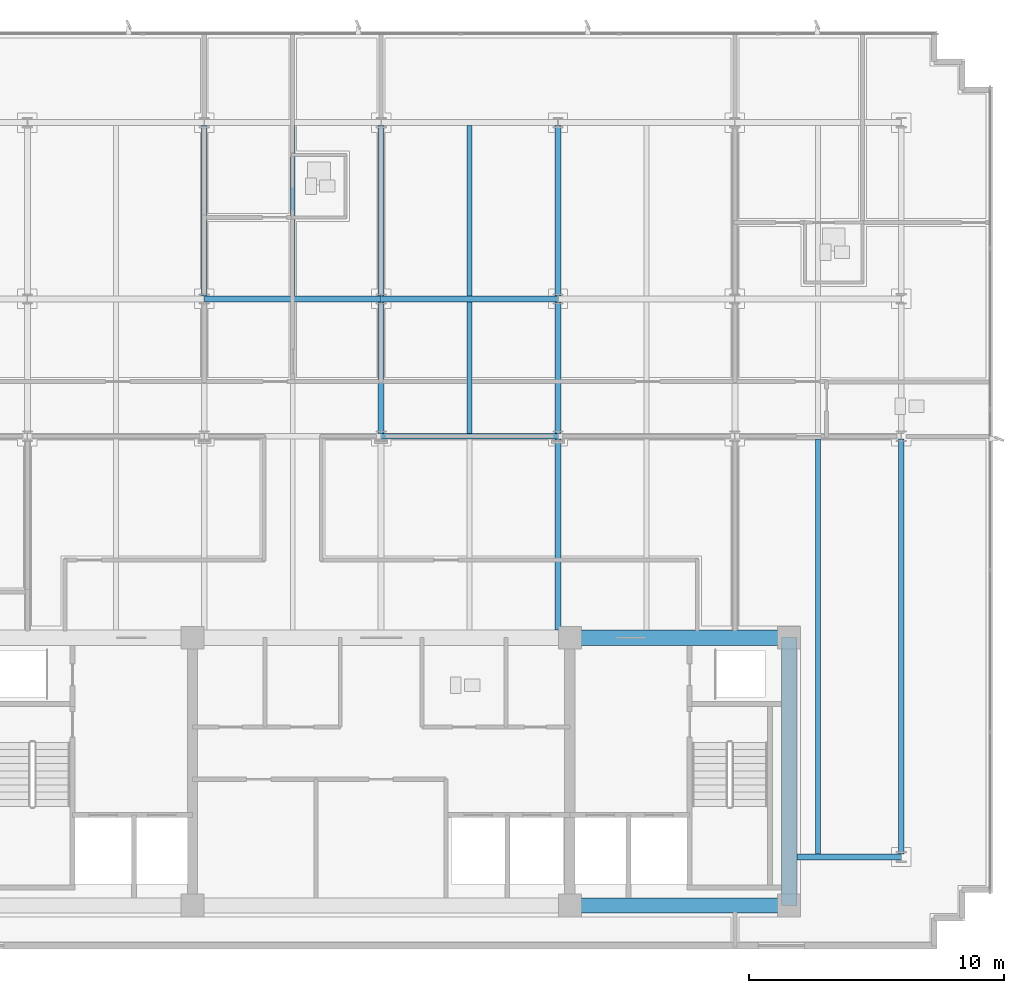
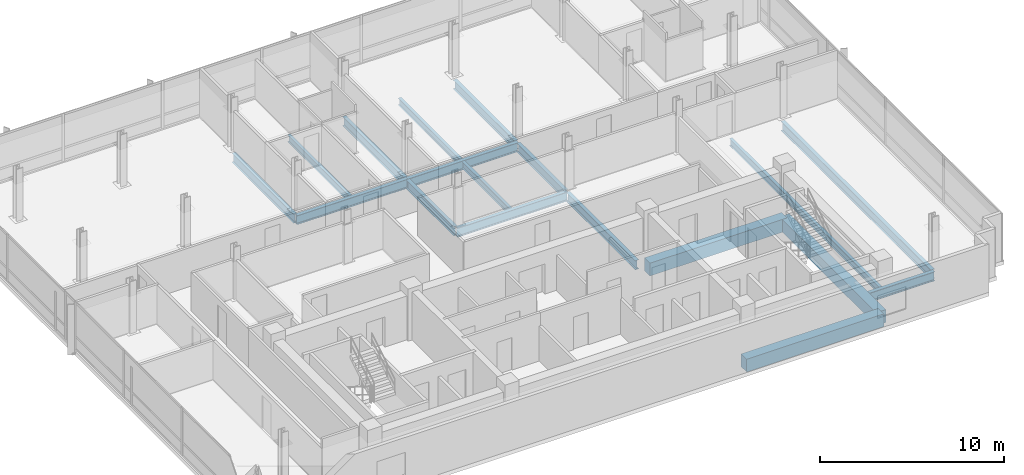
# One storey, part 5 of 18: 18 beams.
"""IFC4 building model written with IfcOpenShell, lengths in metres."""

from ifc_helpers import new_model, si_unit, direction, frame, origin, origin_2d, place, context, subcontext, project, spatial, rectangle, i_section, extrude, material, material_profile, profile_set, type_object, element, save


model = new_model("IFC4")

# Units and contexts
model_context = context("Model", 3, precision=1e-05, world=origin(), true_north=direction((0.0, 1.0)))
body_context = subcontext(model_context, "Body", "Model", "MODEL_VIEW")
ifc_project = project(units=[si_unit("LENGTHUNIT", "METRE"), si_unit("AREAUNIT", "SQUARE_METRE"), si_unit("VOLUMEUNIT", "CUBIC_METRE"), si_unit("PLANEANGLEUNIT", "RADIAN"), si_unit("MASSUNIT", "GRAM", prefix="KILO")], contexts=[model_context])

# Site, building, storey
site_placement = place(None, origin())
site = spatial("IfcSite", under=ifc_project, at=site_placement, CompositionType="ELEMENT")
building_placement = place(site_placement, origin())
building = spatial("IfcBuilding", under=site, at=building_placement, Name="Solmavex Isthmus Hotel", CompositionType="ELEMENT")
storey_placement = place(building_placement, frame((0.0, 0.0, 283.35009765625)))
storey = spatial("IfcBuildingStorey", under=building, at=storey_placement, Name="L77", CompositionType="ELEMENT", Elevation=283.35009765625)

# Beams
ifc_material_1 = material(Name="Steel ASTM A992 Grade 50", Category="steel")
ifc_material_profile_1 = material_profile(ifc_material_1, i_section(OverallWidth=0.1904296875, OverallDepth=0.456787109375, WebThickness=0.009033203125, FlangeThickness=0.014404296875, FilletRadius=0.0126953125, at=origin_2d()), Name="W18X50")
ifc_profile_set_1 = profile_set([ifc_material_profile_1], Name="Steel ASTM A992 Grade 50")
beam_type_1 = type_object("IfcBeamType", Name="BM-BJ-W18X50", PredefinedType="JOIST", material=ifc_profile_set_1)
beam_1_placement = place(storey_placement, frame((-3.468017578125, 10.90185546875, -0.488525390625), z_axis=(0.0, 1.0, 0.0), x_axis=(-1.0, 0.0, 0.0)))
element("IfcBeam", 1, at=beam_1_placement, inside=storey, type_object=beam_type_1, Name="Secondary Floor Joist L77-J09", PredefinedType="JOIST", context=body_context, shape_type="SweptSolid", body=[
    extrude(i_section(OverallWidth=0.1904296875, OverallDepth=0.456787109375, WebThickness=0.009033203125, FlangeThickness=0.014404296875, FilletRadius=0.0126953125, at=origin_2d()), origin(), (0.0, 0.0, 1.0), 6.682861328125),
])
beam_2_placement = place(storey_placement, frame((3.468017578125, 5.513916015625, -0.488525390625), z_axis=(0.0, 1.0, 0.0), x_axis=(-1.0, 0.0, 0.0)))
element("IfcBeam", 2, at=beam_2_placement, inside=storey, type_object=beam_type_1, Name="Secondary Floor Joist L77-J11", PredefinedType="JOIST", context=body_context, shape_type="SweptSolid", body=[
    extrude(i_section(OverallWidth=0.1904296875, OverallDepth=0.456787109375, WebThickness=0.009033203125, FlangeThickness=0.014404296875, FilletRadius=0.0126953125, at=origin_2d()), origin(), (0.0, 0.0, 1.0), 5.16015625),
])
beam_3_placement = place(storey_placement, frame((3.468017578125, 10.90185546875, -0.488525390625), z_axis=(0.0, 1.0, 0.0), x_axis=(-1.0, 0.0, 0.0)))
element("IfcBeam", 3, at=beam_3_placement, inside=storey, type_object=beam_type_1, Name="Secondary Floor Joist L77-J12", PredefinedType="JOIST", context=body_context, shape_type="SweptSolid", body=[
    extrude(i_section(OverallWidth=0.1904296875, OverallDepth=0.456787109375, WebThickness=0.009033203125, FlangeThickness=0.014404296875, FilletRadius=0.0126953125, at=origin_2d()), origin(), (0.0, 0.0, 1.0), 6.682861328125),
])
beam_4_placement = place(storey_placement, frame((17.135986328125, -10.98486328125, -0.488525390625), z_axis=(0.0, 1.0, 0.0), x_axis=(-1.0, 0.0, 0.0)))
element("IfcBeam", 4, at=beam_4_placement, inside=storey, type_object=beam_type_1, Name="Secondary Floor Joist L77-J16", PredefinedType="JOIST", context=body_context, shape_type="SweptSolid", body=[
    extrude(i_section(OverallWidth=0.1904296875, OverallDepth=0.456787109375, WebThickness=0.009033203125, FlangeThickness=0.014404296875, FilletRadius=0.0126953125, at=origin_2d()), origin(), (0.0, 0.0, 1.0), 16.27099609375),
])
ifc_material_profile_2 = material_profile(ifc_material_1, i_section(OverallWidth=0.227783203125, OverallDepth=0.602783203125, WebThickness=0.010498046875, FlangeThickness=0.014892578125, FilletRadius=0.01513671875, at=origin_2d()), Name="W24X68")
ifc_profile_set_2 = profile_set([ifc_material_profile_2], Name="Steel ASTM A992 Grade 50")
beam_type_2 = type_object("IfcBeamType", Name="BM-BM-W24X68", PredefinedType="BEAM", material=ifc_profile_set_2)
for number, where, z_axis, x_axis, name in (
    (5, (0.0, 5.39990234375, -0.5615234375), (1.0, 0.0, 0.0), (0.0, 1.0, 0.0), "Floor Girder L77-UG06"),
    (6, (-6.93603515625, 10.7880859375, -0.5615234375), (1.0, 0.0, 0.0), (0.0, 1.0, 0.0), "Floor Girder L77-UG11"),
    (7, (0.0, 10.7880859375, -0.5615234375), (1.0, 0.0, 0.0), (0.0, 1.0, 0.0), "Floor Girder L77-UG12"),
):
    element("IfcBeam", number, at=place(storey_placement, frame(where, z_axis=z_axis, x_axis=x_axis)), inside=storey, type_object=beam_type_2, Name=name, PredefinedType="BEAM", context=body_context, shape_type="SweptSolid", body=[
        extrude(i_section(OverallWidth=0.227783203125, OverallDepth=0.602783203125, WebThickness=0.010498046875, FlangeThickness=0.014892578125, FilletRadius=0.01513671875, at=origin_2d()), origin(), (0.0, 0.0, 1.0), 6.93603515625),
    ])
beam_5_placement = place(storey_placement, frame((-6.93603515625, 10.90185546875, -0.5615234375), z_axis=(0.0, 1.0, 0.0), x_axis=(-1.0, 0.0, 0.0)))
element("IfcBeam", 8, at=beam_5_placement, inside=storey, type_object=beam_type_2, Name="Floor Beam L77-VG29", PredefinedType="BEAM", context=body_context, shape_type="SweptSolid", body=[
    extrude(i_section(OverallWidth=0.227783203125, OverallDepth=0.602783203125, WebThickness=0.010498046875, FlangeThickness=0.014892578125, FilletRadius=0.01513671875, at=origin_2d()), origin(), (0.0, 0.0, 1.0), 6.682861328125),
])
beam_6_placement = place(storey_placement, frame((0.0, 5.513916015625, -0.5615234375), z_axis=(0.0, 1.0, 0.0), x_axis=(-1.0, 0.0, 0.0)))
element("IfcBeam", 9, at=beam_6_placement, inside=storey, type_object=beam_type_2, Name="Floor Beam L77-VG31", PredefinedType="BEAM", context=body_context, shape_type="SweptSolid", body=[
    extrude(i_section(OverallWidth=0.227783203125, OverallDepth=0.602783203125, WebThickness=0.010498046875, FlangeThickness=0.014892578125, FilletRadius=0.01513671875, at=origin_2d()), origin(), (0.0, 0.0, 1.0), 5.16015625),
])
beam_7_placement = place(storey_placement, frame((0.0, 10.90185546875, -0.5615234375), z_axis=(0.0, 1.0, 0.0), x_axis=(-1.0, 0.0, 0.0)))
element("IfcBeam", 10, at=beam_7_placement, inside=storey, type_object=beam_type_2, Name="Floor Beam L77-VG32", PredefinedType="BEAM", context=body_context, shape_type="SweptSolid", body=[
    extrude(i_section(OverallWidth=0.227783203125, OverallDepth=0.602783203125, WebThickness=0.010498046875, FlangeThickness=0.014892578125, FilletRadius=0.01513671875, at=origin_2d()), origin(), (0.0, 0.0, 1.0), 6.682861328125),
])
beam_8_placement = place(storey_placement, frame((6.93603515625, -2.199951171875, -0.5615234375), z_axis=(0.0, 1.0, 0.0), x_axis=(-1.0, 0.0, 0.0)))
element("IfcBeam", 11, at=beam_8_placement, inside=storey, type_object=beam_type_2, Name="Floor Beam L77-VG33", PredefinedType="BEAM", context=body_context, shape_type="SweptSolid", body=[
    extrude(i_section(OverallWidth=0.227783203125, OverallDepth=0.602783203125, WebThickness=0.010498046875, FlangeThickness=0.014892578125, FilletRadius=0.01513671875, at=origin_2d()), origin(), (0.0, 0.0, 1.0), 7.486083984375),
])
beam_9_placement = place(storey_placement, frame((6.93603515625, 5.513916015625, -0.5615234375), z_axis=(0.0, 1.0, 0.0), x_axis=(-1.0, 0.0, 0.0)))
element("IfcBeam", 12, at=beam_9_placement, inside=storey, type_object=beam_type_2, Name="Floor Beam L77-VG34", PredefinedType="BEAM", context=body_context, shape_type="SweptSolid", body=[
    extrude(i_section(OverallWidth=0.227783203125, OverallDepth=0.602783203125, WebThickness=0.010498046875, FlangeThickness=0.014892578125, FilletRadius=0.01513671875, at=origin_2d()), origin(), (0.0, 0.0, 1.0), 5.16015625),
])
beam_10_placement = place(storey_placement, frame((6.93603515625, 10.90185546875, -0.5615234375), z_axis=(0.0, 1.0, 0.0), x_axis=(-1.0, 0.0, 0.0)))
element("IfcBeam", 13, at=beam_10_placement, inside=storey, type_object=beam_type_2, Name="Floor Beam L77-VG35", PredefinedType="BEAM", context=body_context, shape_type="SweptSolid", body=[
    extrude(i_section(OverallWidth=0.227783203125, OverallDepth=0.602783203125, WebThickness=0.010498046875, FlangeThickness=0.014892578125, FilletRadius=0.01513671875, at=origin_2d()), origin(), (0.0, 0.0, 1.0), 6.682861328125),
])
ifc_material_2 = material(Name="Concrete C50/60", Category="concrete")
ifc_material_profile_3 = material_profile(ifc_material_2, rectangle(XDim=0.60009765625, YDim=0.85009765625, at=origin_2d()), Name="RC600X850")
ifc_profile_set_3 = profile_set([ifc_material_profile_3], Name="Concrete C50/60")
beam_type_3 = type_object("IfcBeamType", Name="BM-CB-600X850", PredefinedType="BEAM", material=ifc_profile_set_3)
for number, where, z_axis, x_axis, name in (
    (14, (7.39990234375, -13.0, -0.68505859375), (1.0, 0.0, 0.0), (0.0, 1.0, 0.0), "Core Coupling Beam L77-CB3"),
    (15, (7.39990234375, -2.5, -0.68505859375), (1.0, 0.0, 0.0), (0.0, 1.0, 0.0), "Core Coupling Beam L77-CB6"),
):
    element("IfcBeam", number, at=place(storey_placement, frame(where, z_axis=z_axis, x_axis=x_axis)), inside=storey, type_object=beam_type_3, Name=name, PredefinedType="BEAM", context=body_context, shape_type="SweptSolid", body=[
        extrude(rectangle(XDim=0.60009765625, YDim=0.85009765625, at=origin_2d()), origin(), (0.0, 0.0, 1.0), 8.60009765625),
    ])
beam_11_placement = place(storey_placement, frame((16.0, -13.0, -0.68505859375), z_axis=(0.0, 1.0, 0.0), x_axis=(-1.0, 0.0, 0.0)))
element("IfcBeam", 16, at=beam_11_placement, inside=storey, type_object=beam_type_3, Name="Core Coupling Beam L77-CB8", PredefinedType="BEAM", context=body_context, shape_type="SweptSolid", body=[
    extrude(rectangle(XDim=0.60009765625, YDim=0.85009765625, at=origin_2d()), origin(), (0.0, 0.0, 1.0), 10.5),
])
ifc_material_profile_4 = material_profile(ifc_material_1, i_section(OverallWidth=0.230224609375, OverallDepth=0.617431640625, WebThickness=0.01318359375, FlangeThickness=0.022216796875, FilletRadius=0.01513671875, at=origin_2d()), Name="W24X94")
ifc_profile_set_4 = profile_set([ifc_material_profile_4], Name="Steel ASTM A992 Grade 50")
beam_type_4 = type_object("IfcBeamType", Name="BM-SP-W24X94", PredefinedType="SPANDREL", material=ifc_profile_set_4)
beam_12_placement = place(storey_placement, frame((16.300048828125, -11.10009765625, -0.56884765625), z_axis=(1.0, 0.0, 0.0), x_axis=(0.0, 1.0, 0.0)))
element("IfcBeam", 17, at=beam_12_placement, inside=storey, type_object=beam_type_4, Name="Floor Girder L77-UG02", PredefinedType="SPANDREL", context=body_context, shape_type="SweptSolid", body=[
    extrude(i_section(OverallWidth=0.230224609375, OverallDepth=0.617431640625, WebThickness=0.01318359375, FlangeThickness=0.022216796875, FilletRadius=0.01513671875, at=origin_2d()), origin(), (0.0, 0.0, 1.0), 4.099853515625),
])
beam_13_placement = place(storey_placement, frame((20.39990234375, -10.98486328125, -0.56884765625), z_axis=(0.0, 1.0, 0.0), x_axis=(-1.0, 0.0, 0.0)))
element("IfcBeam", 18, at=beam_13_placement, inside=storey, type_object=beam_type_4, Name="Floor Beam L77-VG39", PredefinedType="SPANDREL", context=body_context, shape_type="SweptSolid", body=[
    extrude(i_section(OverallWidth=0.230224609375, OverallDepth=0.617431640625, WebThickness=0.01318359375, FlangeThickness=0.022216796875, FilletRadius=0.01513671875, at=origin_2d()), origin(), (0.0, 0.0, 1.0), 16.27099609375),
])

save(model, "model.ifc")
